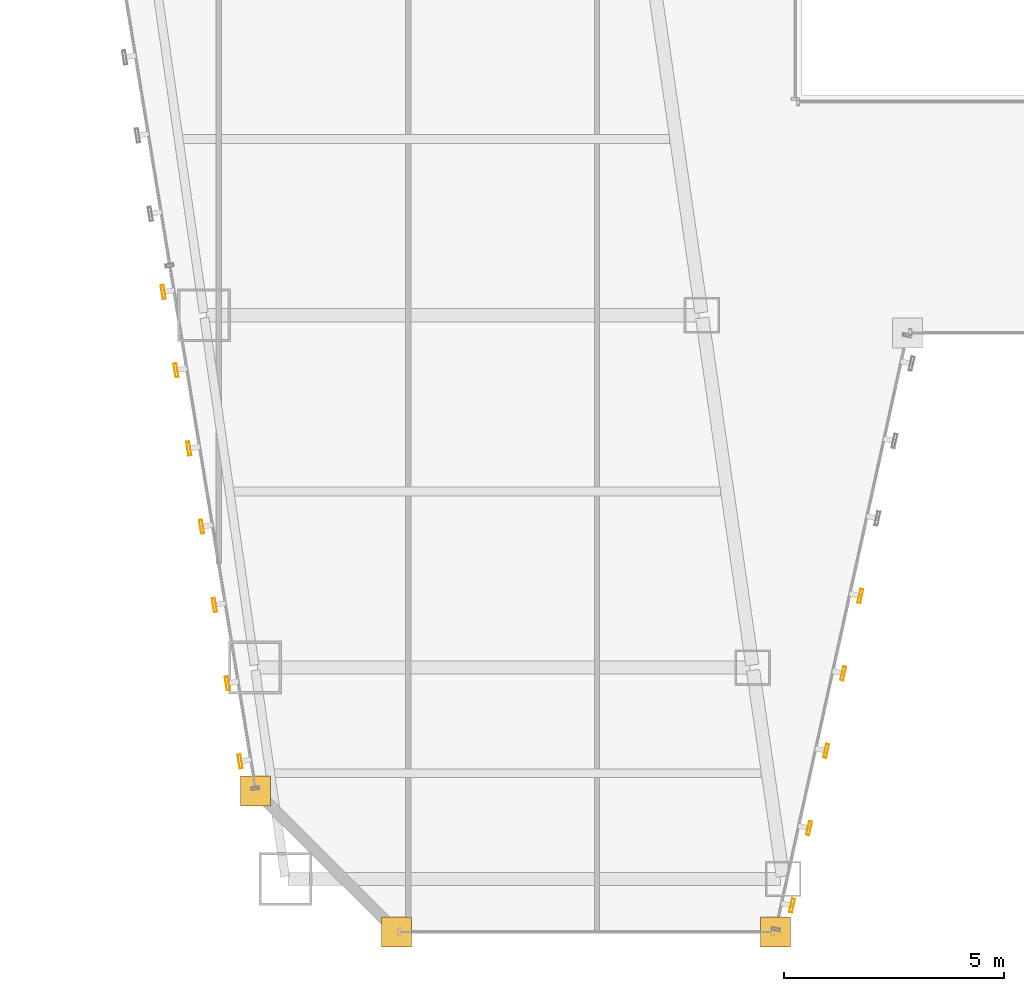
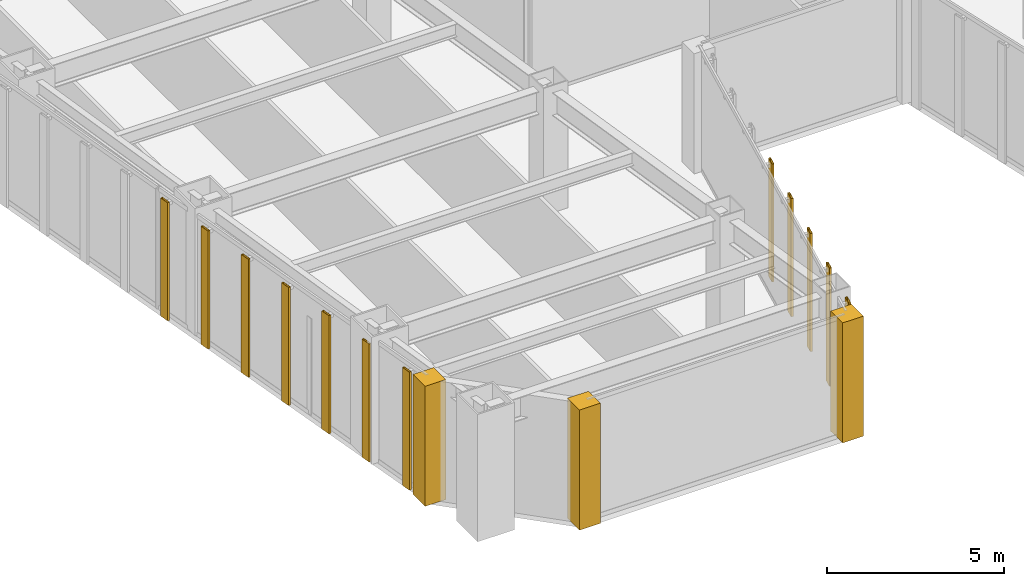
# One storey, part 41 of 47: 12 shading devices, 3 coverings.
"""IFC4 building model written with IfcOpenShell, lengths in metres."""

from ifc_helpers import new_model, si_unit, direction, frame, origin, origin_2d, place, context, subcontext, project, spatial, polyline, hollow_rectangle, outline, extrude, material, layer, layer_set, material_profile, profile_set, type_object, element, save


model = new_model("IFC4")

# Units and contexts
model_context = context("Model", 3, precision=1e-05, world=origin(), true_north=direction((0.0, 1.0)))
body_context = subcontext(model_context, "Body", "Model", "MODEL_VIEW")
ifc_project = project(units=[si_unit("LENGTHUNIT", "METRE"), si_unit("AREAUNIT", "SQUARE_METRE"), si_unit("VOLUMEUNIT", "CUBIC_METRE"), si_unit("PLANEANGLEUNIT", "RADIAN"), si_unit("MASSUNIT", "GRAM", prefix="KILO")], contexts=[model_context])

# Site, building, storey
site_placement = place(None, origin())
site = spatial("IfcSite", under=ifc_project, at=site_placement, CompositionType="ELEMENT")
building_placement = place(site_placement, origin())
building = spatial("IfcBuilding", under=site, at=building_placement, Name="Saevonmaru Cultural Tower", CompositionType="ELEMENT")
storey_placement = place(building_placement, frame((0.0, 0.0, 78.0)))
storey = spatial("IfcBuildingStorey", under=building, at=storey_placement, Name="L16", CompositionType="ELEMENT", Elevation=78.0)

# Coverings
ifc_material = material(Name="Satin Bronze Anodised Aluminium", Category="aluminium")
ifc_layer = layer(ifc_material, 0.679931640625, Name="Satin Bronze Anodised Aluminium")
ifc_layer_set = layer_set([ifc_layer], Name="Satin Bronze Anodised Aluminium")
covering_type = type_object("IfcCoveringType", Name="CV-CORNER-CLAD", PredefinedType="CLADDING", material=ifc_layer_set)
covering_1_placement = place(storey_placement, origin())
element("IfcCovering", 1, at=covering_1_placement, inside=storey, type_object=covering_type, Name="L16 Tower Bronze Corner Cladding Pier 1", PredefinedType="CLADDING", context=body_context, shape_type="SweptSolid", body=[
    extrude(outline(polyline([(11.4599609375, 4.860107421875), (12.139892578125, 4.860107421875), (12.139892578125, 5.5400390625), (11.4599609375, 5.5400390625), (11.4599609375, 4.860107421875)])), origin(), (0.0, 0.0, 1.0), 4.14990234375),
])
covering_2_placement = place(storey_placement, origin())
element("IfcCovering", 2, at=covering_2_placement, inside=storey, type_object=covering_type, Name="L16 Tower Bronze Corner Cladding Pier 2", PredefinedType="CLADDING", context=body_context, shape_type="SweptSolid", body=[
    extrude(outline(polyline([(14.659912109375, 1.659912109375), (15.340087890625, 1.659912109375), (15.340087890625, 2.340087890625), (14.659912109375, 2.340087890625), (14.659912109375, 1.659912109375)])), origin(), (0.0, 0.0, 1.0), 4.14990234375),
])
covering_3_placement = place(storey_placement, origin())
element("IfcCovering", 3, at=covering_3_placement, inside=storey, type_object=covering_type, Name="L16 Tower Bronze Corner Cladding Pier 3", PredefinedType="CLADDING", context=body_context, shape_type="SweptSolid", body=[
    extrude(outline(polyline([(23.260009765625, 1.659912109375), (23.93994140625, 1.659912109375), (23.93994140625, 2.340087890625), (23.260009765625, 2.340087890625), (23.260009765625, 1.659912109375)])), origin(), (0.0, 0.0, 1.0), 4.14990234375),
])

# Shading devices
ifc_material_profile = material_profile(ifc_material, hollow_rectangle(XDim=0.070068359375, YDim=0.320068359375, WallThickness=0.0048828125, at=origin_2d()), Name="FIN-320x70")
ifc_profile_set = profile_set([ifc_material_profile], Name="Satin Bronze Anodised Aluminium")
shading_device_type = type_object("IfcShadingDeviceType", Name="SHD-FIN-320", PredefinedType="JALOUSIE", material=ifc_profile_set)
for number, where, z_axis, x_axis, name in (
    (4, (23.977294921875, 2.59619140625, 0.050048828125), (0.0, 0.0, 1.0), (0.976522126798, -0.215417120661, 0.0), "L16 Art Deco Sawtooth Bronze Fin E3-01"),
    (5, (24.364990234375, 4.35400390625, 0.050048828125), (0.0, 0.0, 1.0), (0.976522126798, -0.215417120661, 0.0), "L16 Art Deco Sawtooth Bronze Fin E3-02"),
    (6, (24.752685546875, 6.11181640625, 0.050048828125), (0.0, 0.0, 1.0), (0.976522126798, -0.215417120661, 0.0), "L16 Art Deco Sawtooth Bronze Fin E3-03"),
    (7, (25.140380859375, 7.869384765625, 0.050048828125), (0.0, 0.0, 1.0), (0.976522126798, -0.215417120661, 0.0), "L16 Art Deco Sawtooth Bronze Fin E3-04"),
    (8, (25.5283203125, 9.627197265625, 0.050048828125), (0.0, 0.0, 1.0), (0.976522126798, -0.215417120661, 0.0), "L16 Art Deco Sawtooth Bronze Fin E3-05"),
    (9, (9.70068359375, 16.527099609375, 0.050048828125), (0.0, 0.0, 1.0), (-0.986827496189, -0.161776057456, 0.0), "L16 Art Deco Sawtooth Bronze Fin E12-21"),
    (10, (9.99169921875, 14.750732421875, 0.050048828125), (0.0, 0.0, 1.0), (-0.986827496189, -0.161776057456, 0.0), "L16 Art Deco Sawtooth Bronze Fin E12-22"),
    (11, (10.28271484375, 12.974365234375, 0.050048828125), (0.0, 0.0, 1.0), (-0.986827496189, -0.161776057456, 0.0), "L16 Art Deco Sawtooth Bronze Fin E12-23"),
    (12, (10.573974609375, 11.197998046875, 0.050048828125), (0.0, 0.0, 1.0), (-0.986827496189, -0.161776057456, 0.0), "L16 Art Deco Sawtooth Bronze Fin E12-24"),
    (13, (10.864990234375, 9.421875, 0.050048828125), (0.0, 0.0, 1.0), (-0.986827496189, -0.161776057456, 0.0), "L16 Art Deco Sawtooth Bronze Fin E12-25"),
    (14, (11.156005859375, 7.6455078125, 0.050048828125), (0.0, 0.0, 1.0), (-0.986827496189, -0.161776057456, 0.0), "L16 Art Deco Sawtooth Bronze Fin E12-26"),
    (15, (11.447021484375, 5.869140625, 0.050048828125), (0.0, 0.0, 1.0), (-0.986827496189, -0.161776057456, 0.0), "L16 Art Deco Sawtooth Bronze Fin E12-27"),
):
    element("IfcShadingDevice", number, at=place(storey_placement, frame(where, z_axis=z_axis, x_axis=x_axis)), inside=storey, type_object=shading_device_type, Name=name, PredefinedType="JALOUSIE", context=body_context, shape_type="SweptSolid", body=[
        extrude(hollow_rectangle(XDim=0.070068359375, YDim=0.320068359375, WallThickness=0.0048828125, at=origin_2d()), origin(), (0.0, 0.0, 1.0), 4.079833984375),
    ])

save(model, "model.ifc")
